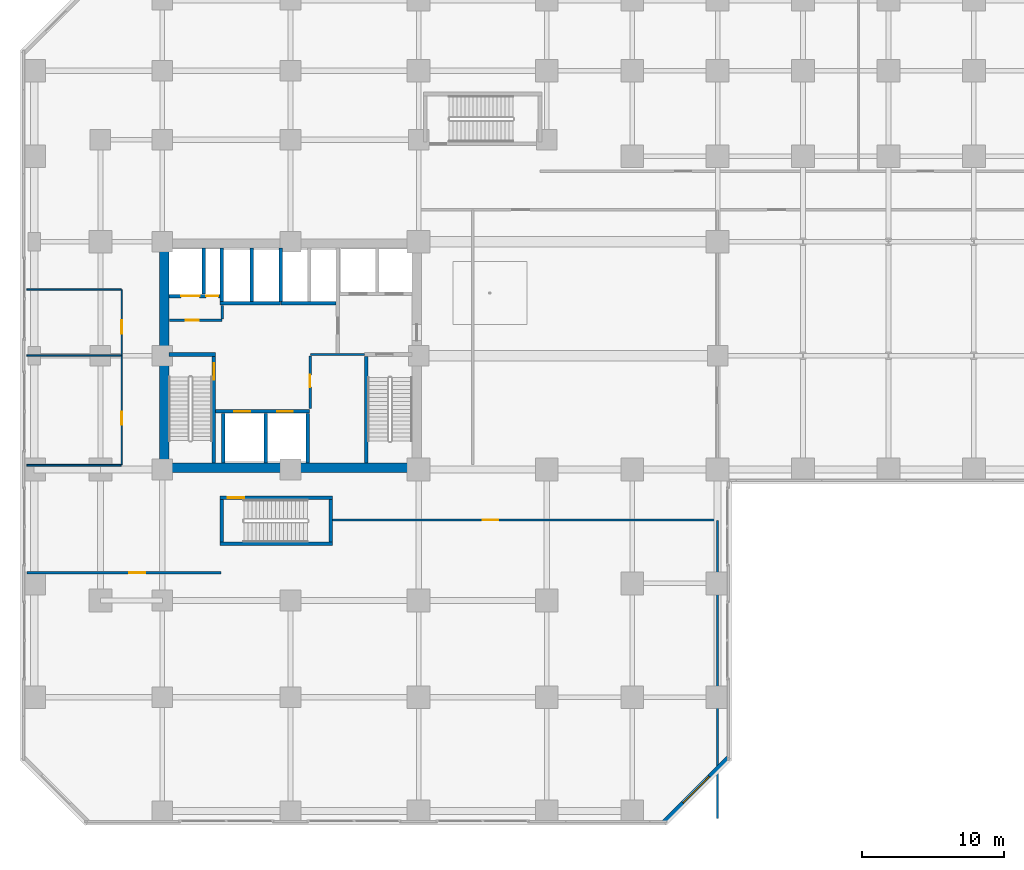
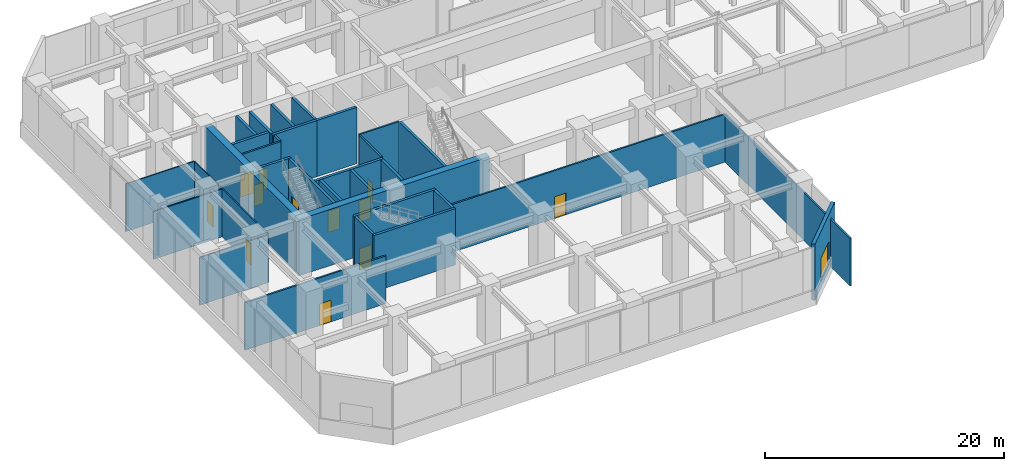
# One storey, part 24 of 34: 32 walls, 12 doors, 1 window, 13 openings.
"""IFC4 building model written with IfcOpenShell, lengths in metres."""

from ifc_helpers import new_model, si_unit, direction, frame, frame_2d, origin, place, context, subcontext, project, spatial, rectangle, extrude, source, transform, mapped, material, layer, layer_set, type_object, element, fill, save


model = new_model("IFC4")

# Units and contexts
model_context = context("Model", 3, precision=1e-05, world=origin(), true_north=direction((0.0, 1.0)))
body_context = subcontext(model_context, "Body", "Model", "MODEL_VIEW")
ifc_project = project(units=[si_unit("LENGTHUNIT", "METRE"), si_unit("AREAUNIT", "SQUARE_METRE"), si_unit("VOLUMEUNIT", "CUBIC_METRE"), si_unit("PLANEANGLEUNIT", "RADIAN"), si_unit("MASSUNIT", "GRAM", prefix="KILO")], contexts=[model_context])

# Site, building, storey
site_placement = place(None, origin())
site = spatial("IfcSite", under=ifc_project, at=site_placement, CompositionType="ELEMENT")
building_placement = place(site_placement, origin())
building = spatial("IfcBuilding", under=site, at=building_placement, Name="Torre Montelarca", CompositionType="ELEMENT")
storey_placement = place(building_placement, frame((0.0, 0.0, 6.0)))
storey = spatial("IfcBuildingStorey", under=building, at=storey_placement, Name="L02", CompositionType="ELEMENT", Elevation=6.0)

# Wall, opening, door
ifc_material_1 = material(Name="Concrete C40/50", Category="concrete")
ifc_layer_1 = layer(ifc_material_1, 0.25, Name="Concrete C40/50", Category="concrete")
ifc_layer_set_1 = layer_set([ifc_layer_1], Name="Concrete C40/50")
wall_type_1 = type_object("IfcWallType", Name="CW-SHAFT-250", PredefinedType="SHEAR", material=ifc_layer_set_1)
wall_1_placement = place(storey_placement, frame((12.625, 24.4599609375, 0.0), z_axis=(0.0, 0.0, 1.0), x_axis=(0.0, 1.0, 0.0)))
wall_1 = element("IfcWall", 1, at=wall_1_placement, inside=storey, type_object=wall_type_1, Name="L02 Core Shear Wall SH-ST1-E", PredefinedType="SHEAR", context=body_context, shape_type="SweptSolid", body=[
    extrude(rectangle(XDim=7.489990234375, YDim=0.25, at=frame_2d((3.7451171875, 0.0))), origin(), (0.0, 0.0, 1.0), 5.739990234375),
])
opening_1_placement = place(wall_1_placement, frame((5.85009765625, 0.0, 0.0)))
opening_1 = element("IfcOpeningElement", 2, at=opening_1_placement, cuts=wall_1, Name="Opening FD-ST1", PredefinedType="OPENING", context=body_context, shape_type="SweptSolid", body=[
    extrude(rectangle(XDim=1.14990234375, YDim=2.199951171875, at=frame_2d((0.574951171875, 1.10009765625))), frame((0.0, 0.135009765625, 0.0), z_axis=(0.0, -1.0, 0.0), x_axis=(1.0, 0.0, 0.0)), (0.0, 0.0, 1.0), 0.27001953125),
])
ifc_material_2 = material(Name="Galvanized steel fire door", Category="steel")
door_type_1 = type_object("IfcDoorType", Name="DR-STAIR-115", OperationType="NOTDEFINED", PredefinedType="DOOR", material=ifc_material_2)
shared_shape_1 = source(origin(), body_context, "Body", "SweptSolid", [
    extrude(rectangle(XDim=1.14990234375, YDim=2.199951171875, at=frame_2d((0.574951171875, 1.10009765625))), frame((0.0, 0.02490234375, 0.0), z_axis=(0.0, -1.0, 0.0), x_axis=(1.0, 0.0, 0.0)), (0.0, 0.0, 1.0), 0.050048828125),
])
door_1_placement = place(opening_1_placement, origin())
door_1 = element("IfcDoor", 3, at=door_1_placement, inside=storey, type_object=door_type_1, Name="L02 Exit Stair ST1 Fire Door", OperationType="SINGLE_SWING_RIGHT", OverallHeight=2.199951171875, OverallWidth=1.14990234375, PredefinedType="DOOR", context=body_context, shape_type="MappedRepresentation", body=[
    mapped(shared_shape_1, transform((0.0, 0.0, 0.0), scale=1.0)),
])
fill(opening_1, door_1)

# Walls
wall_2_placement = place(storey_placement, frame((9.4599609375, 32.074951171875, 0.0), z_axis=(0.0, 0.0, 1.0), x_axis=(1.0, 0.0, 0.0)))
element("IfcWall", 4, at=wall_2_placement, inside=storey, type_object=wall_type_1, Name="L02 Core Shear Wall SH-ST1-N", PredefinedType="SHEAR", context=body_context, shape_type="SweptSolid", body=[
    extrude(rectangle(XDim=3.2900390625, YDim=0.25, at=frame_2d((1.64501953125, 0.0))), origin(), (0.0, 0.0, 1.0), 5.739990234375),
])
wall_3_placement = place(storey_placement, frame((23.31494140625, 24.4599609375, 0.0), z_axis=(0.0, 0.0, 1.0), x_axis=(0.0, 1.0, 0.0)))
element("IfcWall", 5, at=wall_3_placement, inside=storey, type_object=wall_type_1, Name="L02 Core Shear Wall SH-ST2-W", PredefinedType="SHEAR", context=body_context, shape_type="SweptSolid", body=[
    extrude(rectangle(XDim=7.489990234375, YDim=0.25, at=frame_2d((3.7451171875, 0.0))), origin(), (0.0, 0.0, 1.0), 5.739990234375),
])

# Wall, openings, doors
wall_4_placement = place(storey_placement, frame((9.4599609375, 36.179931640625, 0.0), z_axis=(0.0, 0.0, 1.0), x_axis=(1.0, 0.0, 0.0)))
wall_4 = element("IfcWall", 6, at=wall_4_placement, inside=storey, type_object=wall_type_1, Name="L02 Core Shear Wall SH-SV1-S", PredefinedType="SHEAR", context=body_context, shape_type="SweptSolid", body=[
    extrude(rectangle(XDim=3.7900390625, YDim=0.25, at=frame_2d((1.89501953125, 0.0))), origin(), (0.0, 0.0, 1.0), 5.739990234375),
])
opening_2_placement = place(wall_4_placement, frame((2.6201171875, 0.0, 0.0)))
opening_2 = element("IfcOpeningElement", 7, at=opening_2_placement, cuts=wall_4, Name="Opening FD-085", PredefinedType="OPENING", context=body_context, shape_type="SweptSolid", body=[
    extrude(rectangle(XDim=0.85009765625, YDim=2.10009765625, at=frame_2d((0.425048828125, 1.050048828125))), frame((0.0, 0.135009765625, 0.0), z_axis=(0.0, -1.0, 0.0), x_axis=(1.0, 0.0, 0.0)), (0.0, 0.0, 1.0), 0.27001953125),
])
opening_3_placement = place(wall_4_placement, frame((0.85009765625, 0.0, 0.0)))
opening_3 = element("IfcOpeningElement", 8, at=opening_3_placement, cuts=wall_4, Name="Opening LD-130", PredefinedType="OPENING", context=body_context, shape_type="SweptSolid", body=[
    extrude(rectangle(XDim=1.300048828125, YDim=2.25, at=frame_2d((0.64990234375, 1.125))), frame((0.0, 0.135009765625, 0.0), z_axis=(0.0, -1.0, 0.0), x_axis=(1.0, 0.0, 0.0)), (0.0, 0.0, 1.0), 0.27001953125),
])
ifc_material_3 = material(Name="Steel riser access fire door", Category="steel")
door_type_2 = type_object("IfcDoorType", Name="DR-RISER-085", OperationType="NOTDEFINED", PredefinedType="DOOR", material=ifc_material_3)
shared_shape_2 = source(origin(), body_context, "Body", "SweptSolid", [
    extrude(rectangle(XDim=0.85009765625, YDim=2.10009765625, at=frame_2d((0.425048828125, 1.050048828125))), frame((0.0, 0.02490234375, 0.0), z_axis=(0.0, -1.0, 0.0), x_axis=(1.0, 0.0, 0.0)), (0.0, 0.0, 1.0), 0.050048828125),
])
door_2_placement = place(opening_2_placement, origin())
door_2 = element("IfcDoor", 9, at=door_2_placement, inside=storey, type_object=door_type_2, Name="L02 Electrical Riser Shaft Access Door", OperationType="SINGLE_SWING_RIGHT", OverallHeight=2.10009765625, OverallWidth=0.85009765625, PredefinedType="DOOR", context=body_context, shape_type="MappedRepresentation", body=[
    mapped(shared_shape_2, transform((0.0, 0.0, 0.0), scale=1.0)),
])
fill(opening_2, door_2)
ifc_material_4 = material(Name="Brushed stainless steel AISI 316", Category="steel")
door_type_3 = type_object("IfcDoorType", Name="DR-LIFT-130", OperationType="SLIDING_TO_LEFT", PredefinedType="DOOR", material=ifc_material_4)
shared_shape_3 = source(origin(), body_context, "Body", "SweptSolid", [
    extrude(rectangle(XDim=1.300048828125, YDim=2.25, at=frame_2d((0.64990234375, 1.125))), frame((0.0, 0.02490234375, 0.0), z_axis=(0.0, -1.0, 0.0), x_axis=(1.0, 0.0, 0.0)), (0.0, 0.0, 1.0), 0.050048828125),
])
door_3_placement = place(opening_3_placement, origin())
door_3 = element("IfcDoor", 10, at=door_3_placement, inside=storey, type_object=door_type_3, Name="L02 Lift Landing Sliding Door SV-1", OperationType="SLIDING_TO_LEFT", OverallHeight=2.25, OverallWidth=1.300048828125, PredefinedType="DOOR", context=body_context, shape_type="MappedRepresentation", body=[
    mapped(shared_shape_3, transform((0.0, 0.0, 0.0), scale=1.0)),
])
fill(opening_3, door_3)

# Wall
wall_5_placement = place(storey_placement, frame((11.89990234375, 36.31005859375, 0.0), z_axis=(0.0, 0.0, 1.0), x_axis=(0.0, 1.0, 0.0)))
element("IfcWall", 11, at=wall_5_placement, inside=storey, type_object=wall_type_1, Name="L02 Core Shear Wall SH-SV1-E", PredefinedType="SHEAR", context=body_context, shape_type="SweptSolid", body=[
    extrude(rectangle(XDim=3.22998046875, YDim=0.25, at=frame_2d((1.614990234375, 0.0))), origin(), (0.0, 0.0, 1.0), 5.739990234375),
])

# Wall, openings, doors
wall_6_placement = place(storey_placement, frame((12.6298828125, 28.080078125, 0.0), z_axis=(0.0, 0.0, 1.0), x_axis=(1.0, 0.0, 0.0)))
wall_6 = element("IfcWall", 12, at=wall_6_placement, inside=storey, type_object=wall_type_1, Name="L02 Core Shear Wall SH-PLL-N", PredefinedType="SHEAR", context=body_context, shape_type="SweptSolid", body=[
    extrude(rectangle(XDim=6.710205078125, YDim=0.25, at=frame_2d((3.35498046875, 0.0))), origin(), (0.0, 0.0, 1.0), 5.739990234375),
])
opening_4_placement = place(wall_6_placement, frame((1.429931640625, 0.0, 0.0)))
opening_4 = element("IfcOpeningElement", 13, at=opening_4_placement, cuts=wall_6, Name="Opening LD-110", PredefinedType="OPENING", context=body_context, shape_type="SweptSolid", body=[
    extrude(rectangle(XDim=1.10009765625, YDim=2.199951171875, at=frame_2d((0.550048828125, 1.10009765625))), frame((0.0, 0.135009765625, 0.0), z_axis=(0.0, -1.0, 0.0), x_axis=(1.0, 0.0, 0.0)), (0.0, 0.0, 1.0), 0.27001953125),
])
opening_5_placement = place(wall_6_placement, frame((4.429931640625, 0.0, 0.0)))
opening_5 = element("IfcOpeningElement", 14, at=opening_5_placement, cuts=wall_6, Name="Opening LD-110", PredefinedType="OPENING", context=body_context, shape_type="SweptSolid", body=[
    extrude(rectangle(XDim=1.10009765625, YDim=2.199951171875, at=frame_2d((0.550048828125, 1.10009765625))), frame((0.0, 0.135009765625, 0.0), z_axis=(0.0, -1.0, 0.0), x_axis=(1.0, 0.0, 0.0)), (0.0, 0.0, 1.0), 0.27001953125),
])
door_type_4 = type_object("IfcDoorType", Name="DR-LIFT-110", OperationType="SLIDING_TO_LEFT", PredefinedType="DOOR", material=ifc_material_4)
shared_shape_4 = source(origin(), body_context, "Body", "SweptSolid", [
    extrude(rectangle(XDim=1.10009765625, YDim=2.199951171875, at=frame_2d((0.550048828125, 1.10009765625))), frame((0.0, 0.02490234375, 0.0), z_axis=(0.0, -1.0, 0.0), x_axis=(1.0, 0.0, 0.0)), (0.0, 0.0, 1.0), 0.050048828125),
])
door_4_placement = place(opening_4_placement, origin())
door_4 = element("IfcDoor", 15, at=door_4_placement, inside=storey, type_object=door_type_4, Name="L02 Lift Landing Sliding Door PL-L1", OperationType="SLIDING_TO_LEFT", OverallHeight=2.199951171875, OverallWidth=1.10009765625, PredefinedType="DOOR", context=body_context, shape_type="MappedRepresentation", body=[
    mapped(shared_shape_4, transform((0.0, 0.0, 0.0), scale=1.0)),
])
fill(opening_4, door_4)
door_5_placement = place(opening_5_placement, origin())
door_5 = element("IfcDoor", 16, at=door_5_placement, inside=storey, type_object=door_type_4, Name="L02 Lift Landing Sliding Door PL-L2", OperationType="SLIDING_TO_RIGHT", OverallHeight=2.199951171875, OverallWidth=1.10009765625, PredefinedType="DOOR", context=body_context, shape_type="MappedRepresentation", body=[
    mapped(shared_shape_4, transform((0.0, 0.0, 0.0), scale=1.0)),
])
fill(opening_5, door_5)

# Walls
for number, where, z_axis, x_axis, name in (
    (17, (13.280029296875, 24.4599609375, 0.0), (0.0, 0.0, 1.0), (0.0, 1.0, 0.0), "L02 Core Shear Wall SH-PLL-W"),
    (18, (16.25, 24.4599609375, 0.0), (0.0, 0.0, 1.0), (0.0, 1.0, 0.0), "L02 Core Shear Wall SH-PLL-M"),
    (19, (19.219970703125, 24.4599609375, 0.0), (0.0, 0.0, 1.0), (0.0, 1.0, 0.0), "L02 Core Shear Wall SH-PLL-E"),
):
    element("IfcWall", number, at=place(storey_placement, frame(where, z_axis=z_axis, x_axis=x_axis)), inside=storey, type_object=wall_type_1, Name=name, PredefinedType="SHEAR", context=body_context, shape_type="SweptSolid", body=[
        extrude(rectangle(XDim=3.489990234375, YDim=0.25, at=frame_2d((1.7451171875, 0.0))), origin(), (0.0, 0.0, 1.0), 5.739990234375),
    ])
wall_7_placement = place(storey_placement, frame((13.06005859375, 35.679931640625, 0.0), z_axis=(0.0, 0.0, 1.0), x_axis=(1.0, 0.0, 0.0)))
element("IfcWall", 20, at=wall_7_placement, inside=storey, type_object=wall_type_1, Name="L02 Core Shear Wall SH-PLM-S", PredefinedType="SHEAR", context=body_context, shape_type="SweptSolid", body=[
    extrude(rectangle(XDim=4.25, YDim=0.25, at=frame_2d((2.125, 0.0))), origin(), (0.0, 0.0, 1.0), 5.739990234375),
])
for number, where, z_axis, x_axis, name in (
    (21, (13.179931640625, 35.81005859375, 0.0), (0.0, 0.0, 1.0), (0.0, 1.0, 0.0), "L02 Core Shear Wall SH-PLM-W"),
    (22, (15.280029296875, 35.81005859375, 0.0), (0.0, 0.0, 1.0), (0.0, 1.0, 0.0), "L02 Core Shear Wall SH-PLM-M"),
):
    element("IfcWall", number, at=place(storey_placement, frame(where, z_axis=z_axis, x_axis=x_axis)), inside=storey, type_object=wall_type_1, Name=name, PredefinedType="SHEAR", context=body_context, shape_type="SweptSolid", body=[
        extrude(rectangle(XDim=3.72998046875, YDim=0.25, at=frame_2d((1.864990234375, 0.0))), origin(), (0.0, 0.0, 1.0), 5.739990234375),
    ])
wall_8_placement = place(storey_placement, frame((17.320068359375, 35.679931640625, 0.0), z_axis=(0.0, 0.0, 1.0), x_axis=(1.0, 0.0, 0.0)))
element("IfcWall", 23, at=wall_8_placement, inside=storey, type_object=wall_type_1, Name="L02 Core Shear Wall SH-PLH-S", PredefinedType="SHEAR", context=body_context, shape_type="SweptSolid", body=[
    extrude(rectangle(XDim=3.869873046875, YDim=0.25, at=frame_2d((1.93505859375, 0.0))), origin(), (0.0, 0.0, 1.0), 5.739990234375),
])
wall_9_placement = place(storey_placement, frame((17.320068359375, 35.81005859375, 0.0), z_axis=(0.0, 0.0, 1.0), x_axis=(0.0, 1.0, 0.0)))
element("IfcWall", 24, at=wall_9_placement, inside=storey, type_object=wall_type_1, Name="L02 Core Shear Wall SH-PLH-W", PredefinedType="SHEAR", context=body_context, shape_type="SweptSolid", body=[
    extrude(rectangle(XDim=3.72998046875, YDim=0.25, at=frame_2d((1.864990234375, 0.0))), origin(), (0.0, 0.0, 1.0), 5.739990234375),
])
for number, where, z_axis, x_axis, name in (
    (25, (13.175048828125, 18.89990234375, 0.0), (0.0, 0.0, 1.0), (0.0, 1.0, 0.0), "L02 Core Shear Wall SH-ST3-W"),
    (26, (20.824951171875, 18.89990234375, 0.0), (0.0, 0.0, 1.0), (0.0, 1.0, 0.0), "L02 Core Shear Wall SH-ST3-E"),
):
    element("IfcWall", number, at=place(storey_placement, frame(where, z_axis=z_axis, x_axis=x_axis)), inside=storey, type_object=wall_type_1, Name=name, PredefinedType="SHEAR", context=body_context, shape_type="SweptSolid", body=[
        extrude(rectangle(XDim=2.989990234375, YDim=0.25, at=frame_2d((1.4951171875, 0.0))), origin(), (0.0, 0.0, 1.0), 5.739990234375),
    ])
wall_10_placement = place(storey_placement, frame((13.050048828125, 18.77490234375, 0.0), z_axis=(0.0, 0.0, 1.0), x_axis=(1.0, 0.0, 0.0)))
element("IfcWall", 27, at=wall_10_placement, inside=storey, type_object=wall_type_1, Name="L02 Core Shear Wall SH-ST3-S", PredefinedType="SHEAR", context=body_context, shape_type="SweptSolid", body=[
    extrude(rectangle(XDim=7.89990234375, YDim=0.25, at=frame_2d((3.949951171875, 0.0))), origin(), (0.0, 0.0, 1.0), 5.739990234375),
])

# Wall, opening, door
wall_11_placement = place(storey_placement, frame((13.050048828125, 22.014892578125, 0.0), z_axis=(0.0, 0.0, 1.0), x_axis=(1.0, 0.0, 0.0)))
wall_11 = element("IfcWall", 28, at=wall_11_placement, inside=storey, type_object=wall_type_1, Name="L02 Core Shear Wall SH-ST3-N", PredefinedType="SHEAR", context=body_context, shape_type="SweptSolid", body=[
    extrude(rectangle(XDim=7.89990234375, YDim=0.25, at=frame_2d((3.949951171875, 0.0))), origin(), (0.0, 0.0, 1.0), 5.739990234375),
])
opening_6_placement = place(wall_11_placement, frame((0.550048828125, 0.0, 0.0)))
opening_6 = element("IfcOpeningElement", 29, at=opening_6_placement, cuts=wall_11, Name="Opening FD-ST1", PredefinedType="OPENING", context=body_context, shape_type="SweptSolid", body=[
    extrude(rectangle(XDim=1.14990234375, YDim=2.199951171875, at=frame_2d((0.574951171875, 1.10009765625))), frame((0.0, 0.135009765625, 0.0), z_axis=(0.0, -1.0, 0.0), x_axis=(1.0, 0.0, 0.0)), (0.0, 0.0, 1.0), 0.27001953125),
])
door_6_placement = place(opening_6_placement, origin())
door_6 = element("IfcDoor", 30, at=door_6_placement, inside=storey, type_object=door_type_1, Name="L02 Exit Stair ST3 Fire Door", OperationType="SINGLE_SWING_LEFT", OverallHeight=2.199951171875, OverallWidth=1.14990234375, PredefinedType="DOOR", context=body_context, shape_type="MappedRepresentation", body=[
    mapped(shared_shape_1, transform((0.0, 0.0, 0.0), scale=1.0)),
])
fill(opening_6, door_6)

# Walls
ifc_material_5 = material(Name="Concrete C70/85", Category="concrete")
ifc_layer_2 = layer(ifc_material_5, 0.64990234375, Name="Concrete C70/85", Category="concrete")
ifc_layer_set_2 = layer_set([ifc_layer_2], Name="Concrete C70/85")
wall_type_2 = type_object("IfcWallType", Name="CW-SHEAR-650", PredefinedType="SHEAR", material=ifc_layer_set_2)
wall_12_placement = place(storey_placement, frame((9.125, 24.449951171875, 0.0), z_axis=(0.0, 0.0, 1.0), x_axis=(0.0, 1.0, 0.0)))
element("IfcWall", 31, at=wall_12_placement, inside=storey, type_object=wall_type_2, Name="L02 Core Shear Wall CW-W", PredefinedType="SHEAR", context=body_context, shape_type="SweptSolid", body=[
    extrude(rectangle(XDim=15.10009765625, YDim=0.64990234375, at=frame_2d((7.550048828125, 0.0))), origin(), (0.0, 0.0, 1.0), 5.739990234375),
])
wall_13_placement = place(storey_placement, frame((8.800048828125, 24.125, 0.0), z_axis=(0.0, 0.0, 1.0), x_axis=(1.0, 0.0, 0.0)))
element("IfcWall", 32, at=wall_13_placement, inside=storey, type_object=wall_type_2, Name="L02 Core Shear Wall CW-S1", PredefinedType="SHEAR", context=body_context, shape_type="SweptSolid", body=[
    extrude(rectangle(XDim=18.39990234375, YDim=0.64990234375, at=frame_2d((9.199951171875, 0.0))), origin(), (0.0, 0.0, 1.0), 5.739990234375),
])

# Wall, opening, window
ifc_material_6 = material(Name="Precast concrete C45/55", Category="concrete")
ifc_layer_3 = layer(ifc_material_6, 0.320068359375, Name="Precast concrete C45/55", Category="concrete")
ifc_layer_set_3 = layer_set([ifc_layer_3], Name="Precast concrete C45/55")
wall_type_3 = type_object("IfcWallType", Name="EW-CONC-320", PredefinedType="SOLIDWALL", material=ifc_layer_set_3)
wall_14_placement = place(storey_placement, frame((44.244384765625, -0.744384765625, 0.0), z_axis=(0.0, 0.0, 1.0), x_axis=(0.707106781187, 0.707106781187, 0.0)))
wall_14 = element("IfcWall", 33, at=wall_14_placement, inside=storey, type_object=wall_type_3, Name="L02 Podium Precast Concrete Wall E02", PredefinedType="SOLIDWALL", context=body_context, shape_type="SweptSolid", body=[
    extrude(rectangle(XDim=6.364013671875, YDim=0.320068359375, at=frame_2d((3.18212890625, 0.0))), origin(), (0.0, 0.0, 1.0), 5.739990234375),
])
opening_7_placement = place(wall_14_placement, frame((1.882080078125, 0.0, 0.64990234375)))
opening_7 = element("IfcOpeningElement", 34, at=opening_7_placement, cuts=wall_14, Name="Opening W-01", PredefinedType="OPENING", context=body_context, shape_type="SweptSolid", body=[
    extrude(rectangle(XDim=2.60009765625, YDim=2.35009765625, at=frame_2d((1.300048828125, 1.175048828125))), frame((0.0, 0.169921875, 0.0), z_axis=(0.0, -1.0, 0.0), x_axis=(1.0, 0.0, 0.0)), (0.0, 0.0, 1.0), 0.340087890625),
])
ifc_material_7 = material(Name="Insulated low-E laminated glass in aluminium frame", Category="aluminium")
window_type = type_object("IfcWindowType", Name="WIN-W01", PartitioningType="DOUBLE_PANEL_VERTICAL", PredefinedType="WINDOW", material=ifc_material_7)
shared_shape_5 = source(origin(), body_context, "Body", "SweptSolid", [
    extrude(rectangle(XDim=2.60009765625, YDim=2.35009765625, at=frame_2d((1.300048828125, 1.175048828125))), frame((0.0, 0.030029296875, 0.0), z_axis=(0.0, -1.0, 0.0), x_axis=(1.0, 0.0, 0.0)), (0.0, 0.0, 1.0), 0.06005859375),
])
window_placement = place(opening_7_placement, origin())
window = element("IfcWindow", 35, at=window_placement, inside=storey, type_object=window_type, Name="L02 Podium Chamfer Feature Window E02", OverallHeight=2.35009765625, OverallWidth=2.60009765625, PartitioningType="DOUBLE_PANEL_VERTICAL", PredefinedType="WINDOW", context=body_context, shape_type="MappedRepresentation", body=[
    mapped(shared_shape_5, transform((0.0, 0.0, 0.0), scale=1.0)),
])
fill(opening_7, window)

# Wall, opening, door
ifc_material_8 = material(Name="Gypsum plasterboard on steel stud", Category="steel")
ifc_layer_4 = layer(ifc_material_8, 0.159912109375, Name="Gypsum plasterboard on steel stud", Category="steel")
ifc_layer_set_4 = layer_set([ifc_layer_4], Name="Gypsum plasterboard on steel stud")
wall_type_4 = type_object("IfcWallType", Name="PW-FIRE-160", PredefinedType="PARTITIONING", material=ifc_layer_set_4)
wall_15_placement = place(storey_placement, frame((9.489990234375, 34.47998046875, 0.0), z_axis=(0.0, 0.0, 1.0), x_axis=(1.0, 0.0, 0.0)))
wall_15 = element("IfcWall", 36, at=wall_15_placement, inside=storey, type_object=wall_type_4, Name="L02 Interior Partition CW-L02-SVS", PredefinedType="PARTITIONING", context=body_context, shape_type="SweptSolid", body=[
    extrude(rectangle(XDim=3.699951171875, YDim=0.159912109375, at=frame_2d((1.85009765625, 0.0))), origin(), (0.0, 0.0, 1.0), 5.739990234375),
])
opening_8_placement = place(wall_15_placement, frame((1.14990234375, 0.0, 0.0)))
opening_8 = element("IfcOpeningElement", 37, at=opening_8_placement, cuts=wall_15, Name="Opening FD-090", PredefinedType="OPENING", context=body_context, shape_type="SweptSolid", body=[
    extrude(rectangle(XDim=0.89990234375, YDim=2.14990234375, at=frame_2d((0.449951171875, 1.074951171875))), frame((0.0, 0.08984375, 0.0), z_axis=(0.0, -1.0, 0.0), x_axis=(1.0, 0.0, 0.0)), (0.0, 0.0, 1.0), 0.179931640625),
])
ifc_material_9 = material(Name="Steel service fire door", Category="steel")
door_type_5 = type_object("IfcDoorType", Name="DR-FIRE-090", OperationType="NOTDEFINED", PredefinedType="DOOR", material=ifc_material_9)
shared_shape_6 = source(origin(), body_context, "Body", "SweptSolid", [
    extrude(rectangle(XDim=0.89990234375, YDim=2.14990234375, at=frame_2d((0.449951171875, 1.074951171875))), frame((0.0, 0.02490234375, 0.0), z_axis=(0.0, -1.0, 0.0), x_axis=(1.0, 0.0, 0.0)), (0.0, 0.0, 1.0), 0.050048828125),
])
door_7_placement = place(opening_8_placement, origin())
door_7 = element("IfcDoor", 38, at=door_7_placement, inside=storey, type_object=door_type_5, Name="L02 Interior Door 01", OperationType="SINGLE_SWING_RIGHT", OverallHeight=2.14990234375, OverallWidth=0.89990234375, PredefinedType="DOOR", context=body_context, shape_type="MappedRepresentation", body=[
    mapped(shared_shape_6, transform((0.0, 0.0, 0.0), scale=1.0)),
])
fill(opening_8, door_7)

# Walls
wall_16_placement = place(storey_placement, frame((13.199951171875, 34.570068359375, 0.0), z_axis=(0.0, 0.0, 1.0), x_axis=(0.0, 1.0, 0.0)))
element("IfcWall", 39, at=wall_16_placement, inside=storey, type_object=wall_type_4, Name="L02 Interior Partition CW-L02-SVE", PredefinedType="PARTITIONING", context=body_context, shape_type="SweptSolid", body=[
    extrude(rectangle(XDim=0.93994140625, YDim=0.159912109375, at=frame_2d((0.469970703125, 0.0))), origin(), (0.0, 0.0, 1.0), 5.739990234375),
])
wall_17_placement = place(storey_placement, frame((19.389892578125, 32.080078125, 0.0), z_axis=(0.0, 0.0, 1.0), x_axis=(1.0, 0.0, 0.0)))
element("IfcWall", 40, at=wall_17_placement, inside=storey, type_object=wall_type_4, Name="L02 Interior Partition CW-L02-SEN", PredefinedType="PARTITIONING", context=body_context, shape_type="SweptSolid", body=[
    extrude(rectangle(XDim=3.820068359375, YDim=0.159912109375, at=frame_2d((1.91015625, 0.0))), origin(), (0.0, 0.0, 1.0), 5.739990234375),
])

# Wall, opening, door
wall_18_placement = place(storey_placement, frame((19.3798828125, 28.2900390625, 0.0), z_axis=(0.0, 0.0, 1.0), x_axis=(0.0, 1.0, 0.0)))
wall_18 = element("IfcWall", 41, at=wall_18_placement, inside=storey, type_object=wall_type_4, Name="L02 Interior Partition CW-L02-SEW", PredefinedType="PARTITIONING", context=body_context, shape_type="SweptSolid", body=[
    extrude(rectangle(XDim=3.669921875, YDim=0.159912109375, at=frame_2d((1.8349609375, 0.0))), origin(), (0.0, 0.0, 1.0), 5.739990234375),
])
opening_9_placement = place(wall_18_placement, frame((1.5, 0.0, 0.0)))
opening_9 = element("IfcOpeningElement", 42, at=opening_9_placement, cuts=wall_18, Name="Opening FD-085", PredefinedType="OPENING", context=body_context, shape_type="SweptSolid", body=[
    extrude(rectangle(XDim=0.85009765625, YDim=2.10009765625, at=frame_2d((0.425048828125, 1.050048828125))), frame((0.0, 0.08984375, 0.0), z_axis=(0.0, -1.0, 0.0), x_axis=(1.0, 0.0, 0.0)), (0.0, 0.0, 1.0), 0.179931640625),
])
door_8_placement = place(opening_9_placement, origin())
door_8 = element("IfcDoor", 43, at=door_8_placement, inside=storey, type_object=door_type_2, Name="L02 Interior Door 02", OperationType="SINGLE_SWING_RIGHT", OverallHeight=2.10009765625, OverallWidth=0.85009765625, PredefinedType="DOOR", context=body_context, shape_type="MappedRepresentation", body=[
    mapped(shared_shape_2, transform((0.0, 0.0, 0.0), scale=1.0)),
])
fill(opening_9, door_8)

wall_19_placement = place(storey_placement, frame((-0.510009765625, 16.75, 0.0), z_axis=(0.0, 0.0, 1.0), x_axis=(1.0, 0.0, 0.0)))
wall_19 = element("IfcWall", 44, at=wall_19_placement, inside=storey, type_object=wall_type_4, Name="L02 Interior Partition W-L02-CSW", PredefinedType="PARTITIONING", context=body_context, shape_type="SweptSolid", body=[
    extrude(rectangle(XDim=13.6201171875, YDim=0.159912109375, at=frame_2d((6.81005859375, 0.0))), origin(), (0.0, 0.0, 1.0), 4.869384765625),
])
opening_10_placement = place(wall_19_placement, frame((7.199951171875, 0.0, 0.0)))
opening_10 = element("IfcOpeningElement", 45, at=opening_10_placement, cuts=wall_19, Name="Opening FD-110", PredefinedType="OPENING", context=body_context, shape_type="SweptSolid", body=[
    extrude(rectangle(XDim=1.10009765625, YDim=2.199951171875, at=frame_2d((0.550048828125, 1.10009765625))), frame((0.0, 0.08984375, 0.0), z_axis=(0.0, -1.0, 0.0), x_axis=(1.0, 0.0, 0.0)), (0.0, 0.0, 1.0), 0.179931640625),
])
ifc_material_10 = material(Name="Timber fire-rated suite door", Category="wood")
door_type_6 = type_object("IfcDoorType", Name="DR-FIRE-110", OperationType="NOTDEFINED", PredefinedType="DOOR", material=ifc_material_10)
shared_shape_7 = source(origin(), body_context, "Body", "SweptSolid", [
    extrude(rectangle(XDim=1.10009765625, YDim=2.199951171875, at=frame_2d((0.550048828125, 1.10009765625))), frame((0.0, 0.02490234375, 0.0), z_axis=(0.0, -1.0, 0.0), x_axis=(1.0, 0.0, 0.0)), (0.0, 0.0, 1.0), 0.050048828125),
])
door_9_placement = place(opening_10_placement, origin())
door_9 = element("IfcDoor", 46, at=door_9_placement, inside=storey, type_object=door_type_6, Name="L02 Interior Door 05", OperationType="SINGLE_SWING_LEFT", OverallHeight=2.199951171875, OverallWidth=1.10009765625, PredefinedType="DOOR", context=body_context, shape_type="MappedRepresentation", body=[
    mapped(shared_shape_7, transform((0.0, 0.0, 0.0), scale=1.0)),
])
fill(opening_10, door_9)

wall_20_placement = place(storey_placement, frame((20.889892578125, 20.449951171875, 0.0), z_axis=(0.0, 0.0, 1.0), x_axis=(1.0, 0.0, 0.0)))
wall_20 = element("IfcWall", 47, at=wall_20_placement, inside=storey, type_object=wall_type_4, Name="L02 Interior Partition W-L02-CSE", PredefinedType="PARTITIONING", context=body_context, shape_type="SweptSolid", body=[
    extrude(rectangle(XDim=27.070068359375, YDim=0.159912109375, at=frame_2d((13.53515625, 0.0))), origin(), (0.0, 0.0, 1.0), 4.869384765625),
])
opening_11_placement = place(wall_20_placement, frame((10.60009765625, 0.0, 0.0)))
opening_11 = element("IfcOpeningElement", 48, at=opening_11_placement, cuts=wall_20, Name="Opening FD-110", PredefinedType="OPENING", context=body_context, shape_type="SweptSolid", body=[
    extrude(rectangle(XDim=1.10009765625, YDim=2.199951171875, at=frame_2d((0.550048828125, 1.10009765625))), frame((0.0, 0.08984375, 0.0), z_axis=(0.0, -1.0, 0.0), x_axis=(1.0, 0.0, 0.0)), (0.0, 0.0, 1.0), 0.179931640625),
])
door_10_placement = place(opening_11_placement, origin())
door_10 = element("IfcDoor", 49, at=door_10_placement, inside=storey, type_object=door_type_6, Name="L02 Interior Door 06", OperationType="SINGLE_SWING_RIGHT", OverallHeight=2.199951171875, OverallWidth=1.10009765625, PredefinedType="DOOR", context=body_context, shape_type="MappedRepresentation", body=[
    mapped(shared_shape_7, transform((0.0, 0.0, 0.0), scale=1.0)),
])
fill(opening_11, door_10)

# Walls
wall_21_placement = place(storey_placement, frame((48.0, -0.510009765625, 0.0), z_axis=(0.0, 0.0, 1.0), x_axis=(0.0, 1.0, 0.0)))
element("IfcWall", 50, at=wall_21_placement, inside=storey, type_object=wall_type_4, Name="L02 Interior Partition W-L02-CSES", PredefinedType="PARTITIONING", context=body_context, shape_type="SweptSolid", body=[
    extrude(rectangle(XDim=20.919921875, YDim=0.159912109375, at=frame_2d((10.4599609375, 0.0))), origin(), (0.0, 0.0, 1.0), 4.875),
])
ifc_material_11 = material(Name="Acoustic laminated glass partition", Category="glass")
ifc_layer_5 = layer(ifc_material_11, 0.10009765625, Name="Acoustic laminated glass partition", Category="glass")
ifc_layer_set_5 = layer_set([ifc_layer_5], Name="Acoustic laminated glass partition")
wall_type_5 = type_object("IfcWallType", Name="PW-GLAZ-100", PredefinedType="PARTITIONING", material=ifc_layer_set_5)
wall_22_placement = place(storey_placement, frame((-0.510009765625, 36.64990234375, 0.0), z_axis=(0.0, 0.0, 1.0), x_axis=(1.0, 0.0, 0.0)))
element("IfcWall", 51, at=wall_22_placement, inside=storey, type_object=wall_type_5, Name="L02 Interior Partition W-L02-WCN", PredefinedType="PARTITIONING", context=body_context, shape_type="SweptSolid", body=[
    extrude(rectangle(XDim=6.6201171875, YDim=0.10009765625, at=frame_2d((3.31005859375, 0.0))), origin(), (0.0, 0.0, 1.0), 4.875),
])

# Wall, openings, doors
wall_23_placement = place(storey_placement, frame((6.14990234375, 24.340087890625, 0.0), z_axis=(0.0, 0.0, 1.0), x_axis=(0.0, 1.0, 0.0)))
wall_23 = element("IfcWall", 52, at=wall_23_placement, inside=storey, type_object=wall_type_5, Name="L02 Interior Partition W-L02-WCE", PredefinedType="PARTITIONING", context=body_context, shape_type="SweptSolid", body=[
    extrude(rectangle(XDim=12.27001953125, YDim=0.10009765625, at=frame_2d((6.135009765625, 0.0))), origin(), (0.0, 0.0, 1.0), 4.875),
])
opening_12_placement = place(wall_23_placement, frame((2.800048828125, 0.0, 0.0)))
opening_12 = element("IfcOpeningElement", 53, at=opening_12_placement, cuts=wall_23, Name="Opening ID-090", PredefinedType="OPENING", context=body_context, shape_type="SweptSolid", body=[
    extrude(rectangle(XDim=0.89990234375, YDim=2.14990234375, at=frame_2d((0.449951171875, 1.074951171875))), frame((0.0, 0.06005859375, 0.0), z_axis=(0.0, -1.0, 0.0), x_axis=(1.0, 0.0, 0.0)), (0.0, 0.0, 1.0), 0.1201171875),
])
opening_13_placement = place(wall_23_placement, frame((9.199951171875, 0.0, 0.0)))
opening_13 = element("IfcOpeningElement", 54, at=opening_13_placement, cuts=wall_23, Name="Opening ID-095", PredefinedType="OPENING", context=body_context, shape_type="SweptSolid", body=[
    extrude(rectangle(XDim=0.949951171875, YDim=2.14990234375, at=frame_2d((0.47509765625, 1.074951171875))), frame((0.0, 0.06005859375, 0.0), z_axis=(0.0, -1.0, 0.0), x_axis=(1.0, 0.0, 0.0)), (0.0, 0.0, 1.0), 0.1201171875),
])
ifc_material_12 = material(Name="Hardwood acoustic timber veneer", Category="wood")
door_type_7 = type_object("IfcDoorType", Name="DR-INT-090", OperationType="NOTDEFINED", PredefinedType="DOOR", material=ifc_material_12)
shared_shape_8 = source(origin(), body_context, "Body", "SweptSolid", [
    extrude(rectangle(XDim=0.89990234375, YDim=2.14990234375, at=frame_2d((0.449951171875, 1.074951171875))), frame((0.0, 0.02490234375, 0.0), z_axis=(0.0, -1.0, 0.0), x_axis=(1.0, 0.0, 0.0)), (0.0, 0.0, 1.0), 0.050048828125),
])
door_11_placement = place(opening_12_placement, origin())
door_11 = element("IfcDoor", 55, at=door_11_placement, inside=storey, type_object=door_type_7, Name="L02 Interior Door 03", OperationType="SINGLE_SWING_LEFT", OverallHeight=2.14990234375, OverallWidth=0.89990234375, PredefinedType="DOOR", context=body_context, shape_type="MappedRepresentation", body=[
    mapped(shared_shape_8, transform((0.0, 0.0, 0.0), scale=1.0)),
])
fill(opening_12, door_11)
door_type_8 = type_object("IfcDoorType", Name="DR-INT-095", OperationType="NOTDEFINED", PredefinedType="DOOR", material=ifc_material_12)
shared_shape_9 = source(origin(), body_context, "Body", "SweptSolid", [
    extrude(rectangle(XDim=0.949951171875, YDim=2.14990234375, at=frame_2d((0.47509765625, 1.074951171875))), frame((0.0, 0.02490234375, 0.0), z_axis=(0.0, -1.0, 0.0), x_axis=(1.0, 0.0, 0.0)), (0.0, 0.0, 1.0), 0.050048828125),
])
door_12_placement = place(opening_13_placement, origin())
door_12 = element("IfcDoor", 56, at=door_12_placement, inside=storey, type_object=door_type_8, Name="L02 Interior Door 04", OperationType="SINGLE_SWING_RIGHT", OverallHeight=2.14990234375, OverallWidth=0.949951171875, PredefinedType="DOOR", context=body_context, shape_type="MappedRepresentation", body=[
    mapped(shared_shape_9, transform((0.0, 0.0, 0.0), scale=1.0)),
])
fill(opening_13, door_12)

# Walls
ifc_layer_6 = layer(ifc_material_8, 0.114990234375, Name="Gypsum plasterboard on steel stud", Category="steel")
ifc_layer_set_6 = layer_set([ifc_layer_6], Name="Gypsum plasterboard on steel stud")
wall_type_6 = type_object("IfcWallType", Name="PW-PART-115", PredefinedType="PARTITIONING", material=ifc_layer_set_6)
wall_24_placement = place(storey_placement, frame((-0.510009765625, 24.300048828125, 0.0), z_axis=(0.0, 0.0, 1.0), x_axis=(1.0, 0.0, 0.0)))
element("IfcWall", 57, at=wall_24_placement, inside=storey, type_object=wall_type_6, Name="L02 Interior Partition W-L02-WCS", PredefinedType="PARTITIONING", context=body_context, shape_type="SweptSolid", body=[
    extrude(rectangle(XDim=6.6201171875, YDim=0.114990234375, at=frame_2d((3.31005859375, 0.0))), origin(), (0.0, 0.0, 1.0), 4.869384765625),
])
wall_25_placement = place(storey_placement, frame((-0.510009765625, 32.0, 0.0), z_axis=(0.0, 0.0, 1.0), x_axis=(1.0, 0.0, 0.0)))
element("IfcWall", 58, at=wall_25_placement, inside=storey, type_object=wall_type_6, Name="L02 Interior Partition W-L02-WC1", PredefinedType="PARTITIONING", context=body_context, shape_type="SweptSolid", body=[
    extrude(rectangle(XDim=6.6201171875, YDim=0.114990234375, at=frame_2d((3.31005859375, 0.0))), origin(), (0.0, 0.0, 1.0), 4.875),
])

save(model, "model.ifc")
